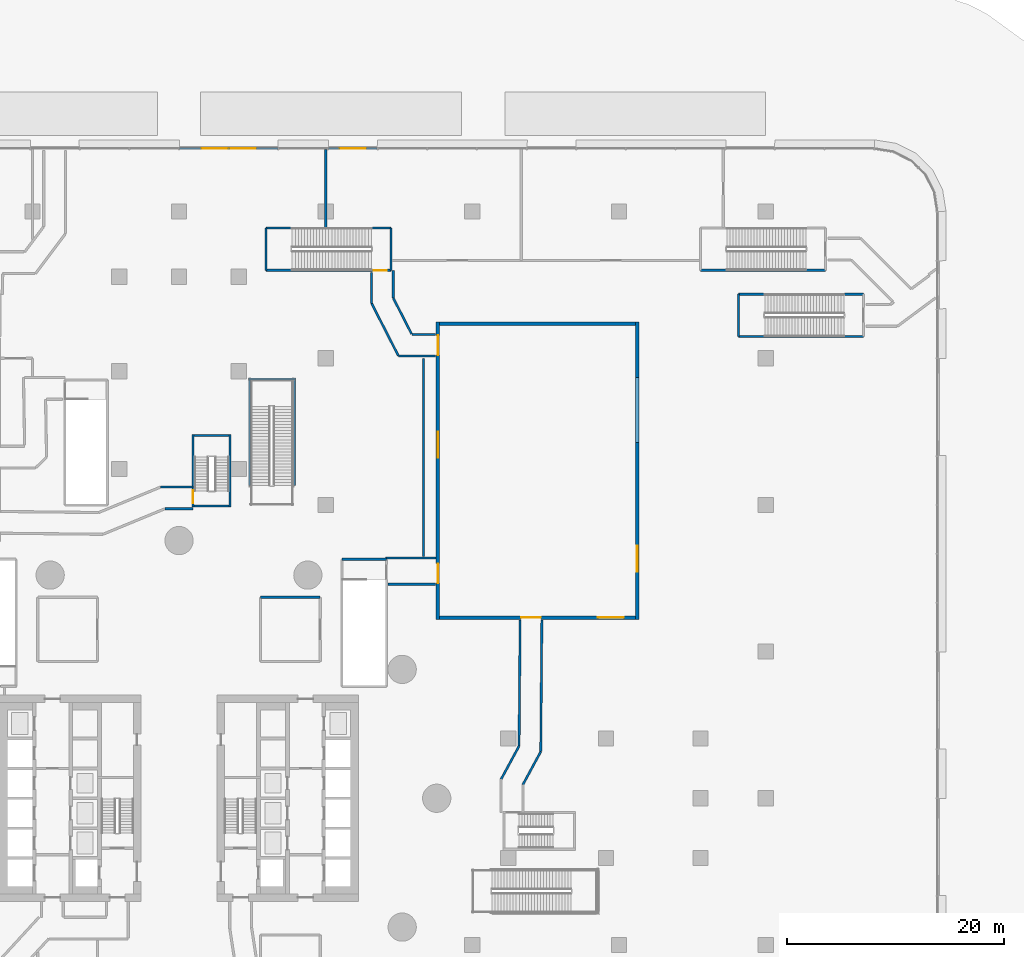
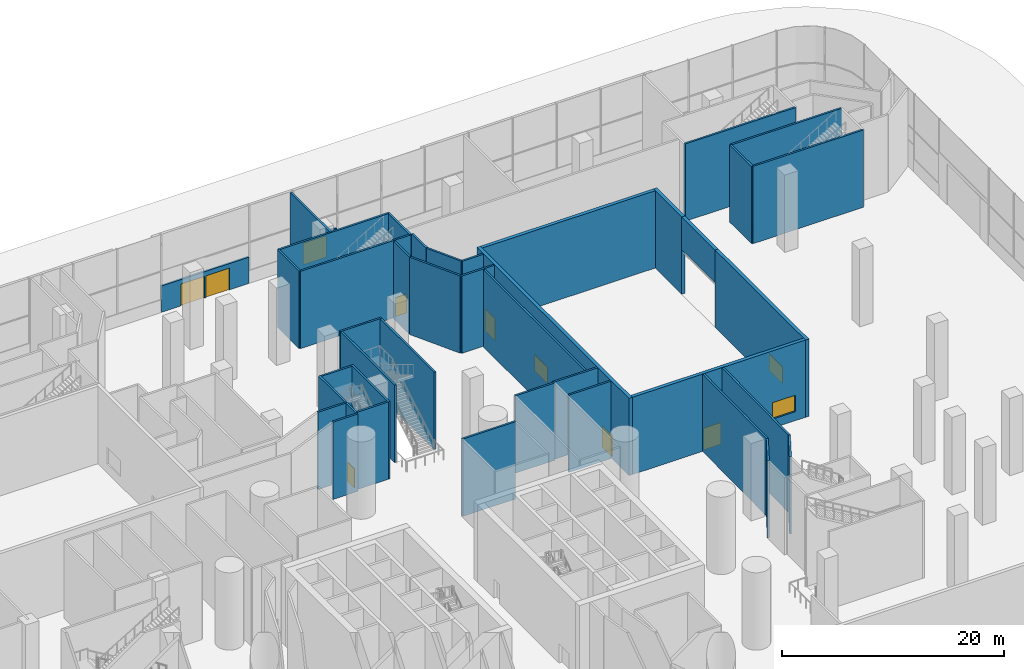
# One storey, part 30 of 54: 41 walls, 8 doors, 3 windows, 11 openings.
"""IFC4 building model written with IfcOpenShell, lengths in metres."""

from ifc_helpers import new_model, si_unit, direction, frame, frame_2d, origin, place, context, subcontext, project, spatial, polyline, rectangle, outline, extrude, material, layer, layer_set, type_object, element, fill, save


model = new_model("IFC4")

# Units and contexts
model_context = context("Model", 3, precision=1e-05, world=origin(), true_north=direction((0.0, 1.0)))
body_context = subcontext(model_context, "Body", "Model", "MODEL_VIEW")
ifc_project = project(units=[si_unit("LENGTHUNIT", "METRE"), si_unit("AREAUNIT", "SQUARE_METRE"), si_unit("VOLUMEUNIT", "CUBIC_METRE"), si_unit("PLANEANGLEUNIT", "RADIAN"), si_unit("MASSUNIT", "GRAM", prefix="KILO")], contexts=[model_context])

# Site, building, storey
site_placement = place(None, origin())
site = spatial("IfcSite", under=ifc_project, at=site_placement, CompositionType="ELEMENT")
building_placement = place(site_placement, origin())
building = spatial("IfcBuilding", under=site, at=building_placement, Name="Tamarind Cross Interchange Tower", CompositionType="ELEMENT")
storey_placement = place(building_placement, origin())
storey = spatial("IfcBuildingStorey", under=building, at=storey_placement, Name="L00", CompositionType="ELEMENT", Elevation=0.0)

# Wall, opening, window
ifc_material_1 = material(Name="Precast concrete C40", Category="concrete")
ifc_layer_1 = layer(ifc_material_1, 0.35009765625)
ifc_layer_set_1 = layer_set([ifc_layer_1], Name="Precast concrete C40")
wall_type_1 = type_object("IfcWallType", Name="Court portal pier wall", PredefinedType="SOLIDWALL", material=ifc_layer_set_1)
wall_1_placement = place(storey_placement, frame((42.175048828125, 16.449951171875, 0.0), z_axis=(0.0, 0.0, 1.0), x_axis=(0.0, 1.0, 0.0)))
wall_1 = element("IfcWall", 1, at=wall_1_placement, inside=storey, type_object=wall_type_1, Name="CTW-L00-NEE00", PredefinedType="SOLIDWALL", context=body_context, shape_type="SweptSolid", body=[
    extrude(rectangle(XDim=16.300048828125, YDim=0.35009765625, at=frame_2d((8.14990234375, 0.0))), origin(), (0.0, 0.0, 1.0), 8.5),
])
opening_1_placement = place(wall_1_placement, frame((4.39990234375, 0.0, 1.0)))
opening_1 = element("IfcOpeningElement", 2, at=opening_1_placement, cuts=wall_1, Name="Opening W4", PredefinedType="OPENING", context=body_context, shape_type="SweptSolid", body=[
    extrude(rectangle(XDim=2.39990234375, YDim=1.800048828125, at=frame_2d((1.199951171875, 0.89990234375))), frame((0.0, 0.18505859375, 0.0), z_axis=(0.0, -1.0, 0.0), x_axis=(1.0, 0.0, 0.0)), (0.0, 0.0, 1.0), 0.3701171875),
])
ifc_material_2 = material(Name="Aluminium and toughened glass", Category="aluminium")
window_type = type_object("IfcWindowType", Name="Podium daylight window", PartitioningType="SINGLE_PANEL", PredefinedType="WINDOW", material=ifc_material_2)
window_1_placement = place(opening_1_placement, origin())
window_1 = element("IfcWindow", 3, at=window_1_placement, inside=storey, type_object=window_type, Name="CTX-L00-NEE-00-00", OverallHeight=1.800048828125, OverallWidth=2.39990234375, PartitioningType="SINGLE_PANEL", PredefinedType="WINDOW", context=body_context, shape_type="SweptSolid", body=[
    extrude(rectangle(XDim=2.39990234375, YDim=1.800048828125, at=frame_2d((1.199951171875, 0.89990234375))), frame((0.0, 0.030029296875, 0.0), z_axis=(0.0, -1.0, 0.0), x_axis=(1.0, 0.0, 0.0)), (0.0, 0.0, 1.0), 0.06005859375),
])
fill(opening_1, window_1)

# Walls
wall_2_placement = place(storey_placement, frame((42.175048828125, 38.75, 0.0), z_axis=(0.0, 0.0, 1.0), x_axis=(0.0, 1.0, 0.0)))
element("IfcWall", 4, at=wall_2_placement, inside=storey, type_object=wall_type_1, Name="CTW-L00-NEE01", PredefinedType="SOLIDWALL", context=body_context, shape_type="SweptSolid", body=[
    extrude(rectangle(XDim=5.10009765625, YDim=0.35009765625, at=frame_2d((2.550048828125, 0.0))), origin(), (0.0, 0.0, 1.0), 8.5),
])
ifc_material_3 = material(Name="Masonry partition, fire-rated", Category="masonry")
ifc_layer_2 = layer(ifc_material_3, 0.199951171875)
ifc_layer_set_2 = layer_set([ifc_layer_2], Name="Masonry partition, fire-rated")
wall_type_2 = type_object("IfcWallType", Name="Fire partition 200 EI 120", PredefinedType="PARTITIONING", material=ifc_layer_set_2)
wall_3_placement = place(storey_placement, frame((13.5, 52.530029296875, 0.0), z_axis=(0.0, 0.0, 1.0), x_axis=(0.0, 1.0, 0.0)))
element("IfcWall", 5, at=wall_3_placement, inside=storey, type_object=wall_type_2, Name="L00 partition 94", PredefinedType="PARTITIONING", context=body_context, shape_type="SweptSolid", body=[
    extrude(rectangle(XDim=7.1689453125, YDim=0.199951171875, at=frame_2d((3.58447265625, 0.0))), origin(), (0.0, 0.0, 1.0), 8.5),
])
ifc_layer_3 = layer(ifc_material_3, 0.199951171875)
ifc_layer_set_3 = layer_set([ifc_layer_3], Name="Masonry partition, fire-rated")
wall_type_3 = type_object("IfcWallType", Name="Fire partition 200 EI 90", PredefinedType="PARTITIONING", material=ifc_layer_set_3)
wall_4_placement = place(storey_placement, frame((7.5, 18.5, 0.0), z_axis=(0.0, 0.0, 1.0), x_axis=(1.0, 0.0, 0.0)))
element("IfcWall", 6, at=wall_4_placement, inside=storey, type_object=wall_type_3, Name="L00 partition 110", PredefinedType="PARTITIONING", context=body_context, shape_type="SweptSolid", body=[
    extrude(rectangle(XDim=5.5, YDim=0.199951171875, at=frame_2d((2.75, 0.0))), origin(), (0.0, 0.0, 1.0), 8.5),
])
ifc_material_4 = material(Name="Concrete C40", Category="concrete")
ifc_layer_4 = layer(ifc_material_4, 0.199951171875)
ifc_layer_set_4 = layer_set([ifc_layer_4], Name="Concrete C40")
wall_type_4 = type_object("IfcWallType", Name="Hall wall 200 EI 120", PredefinedType="PARTITIONING", material=ifc_layer_set_4)
wall_5_placement = place(storey_placement, frame((22.5, 22.2451171875, 0.0), z_axis=(0.0, 0.0, 1.0), x_axis=(0.0, 1.0, 0.0)))
element("IfcWall", 7, at=wall_5_placement, inside=storey, type_object=wall_type_4, Name="L00 hall wall 118", PredefinedType="PARTITIONING", context=body_context, shape_type="SweptSolid", body=[
    extrude(rectangle(XDim=18.2548828125, YDim=0.199951171875, at=frame_2d((9.12744140625, 0.0))), origin(), (0.0, 0.0, 1.0), 8.5),
])

# Wall, opening, door
ifc_layer_5 = layer(ifc_material_1, 0.35009765625)
ifc_layer_set_5 = layer_set([ifc_layer_5], Name="Precast concrete C40")
wall_type_5 = type_object("IfcWallType", Name="Podium facade wall", PredefinedType="SOLIDWALL", material=ifc_layer_set_5)
wall_6_placement = place(storey_placement, frame((18.2412109375, 59.800048828125, 0.0), z_axis=(0.0, 0.0, 1.0), x_axis=(-1.0, 0.0, 0.0)))
wall_6 = element("IfcWall", 8, at=wall_6_placement, inside=storey, type_object=wall_type_5, Name="EXW-L00-02-D10", PredefinedType="SOLIDWALL", context=body_context, shape_type="SweptSolid", body=[
    extrude(rectangle(XDim=4.490234375, YDim=0.199951171875, at=frame_2d((2.2451171875, 0.0))), origin(), (0.0, 0.0, 1.0), 2.89990234375),
])
opening_2_placement = place(wall_6_placement, frame((1.045166015625, 0.0, 0.0)))
opening_2 = element("IfcOpeningElement", 9, at=opening_2_placement, cuts=wall_6, Name="Opening D1", PredefinedType="OPENING", context=body_context, shape_type="SweptSolid", body=[
    extrude(rectangle(XDim=2.39990234375, YDim=2.39990234375, at=frame_2d((1.199951171875, 1.199951171875))), frame((0.0, 0.10986328125, 0.0), z_axis=(0.0, -1.0, 0.0), x_axis=(1.0, 0.0, 0.0)), (0.0, 0.0, 1.0), 0.219970703125),
])
ifc_material_5 = material(Name="Toughened glass and aluminium", Category="aluminium")
door_type_1 = type_object("IfcDoorType", Name="Station entrance door", OperationType="DOUBLE_DOOR_DOUBLE_SWING", PredefinedType="DOOR", material=ifc_material_5)
door_1_placement = place(opening_2_placement, frame((2.39990234375, 0.0, 0.0), z_axis=(0.0, 0.0, 1.0), x_axis=(-1.0, 0.0, 0.0)))
door_1 = element("IfcDoor", 10, at=door_1_placement, inside=storey, type_object=door_type_1, Name="DOR-L00-02-10", OperationType="DOUBLE_DOOR_DOUBLE_SWING", OverallHeight=2.39990234375, OverallWidth=2.39990234375, PredefinedType="DOOR", context=body_context, shape_type="SweptSolid", body=[
    extrude(rectangle(XDim=2.39990234375, YDim=2.39990234375, at=frame_2d((1.199951171875, 1.199951171875))), frame((0.0, 0.02490234375, 0.0), z_axis=(0.0, -1.0, 0.0), x_axis=(1.0, 0.0, 0.0)), (0.0, 0.0, 1.0), 0.050048828125),
])
fill(opening_2, door_1)

# Wall, openings, doors
wall_7_placement = place(storey_placement, frame((9.1005859375, 59.800048828125, 0.0), z_axis=(0.0, 0.0, 1.0), x_axis=(-1.0, 0.0, 0.0)))
wall_7 = element("IfcWall", 11, at=wall_7_placement, inside=storey, type_object=wall_type_5, Name="EXW-L00-02-D12", PredefinedType="SOLIDWALL", context=body_context, shape_type="SweptSolid", body=[
    extrude(rectangle(XDim=9.060546875, YDim=0.199951171875, at=frame_2d((4.5302734375, 0.0))), origin(), (0.0, 0.0, 1.0), 2.89990234375),
])
opening_3_placement = place(wall_7_placement, frame((2.0302734375, 0.0, 0.0)))
opening_3 = element("IfcOpeningElement", 12, at=opening_3_placement, cuts=wall_7, Name="Opening D1", PredefinedType="OPENING", context=body_context, shape_type="SweptSolid", body=[
    extrude(rectangle(XDim=2.39990234375, YDim=2.39990234375, at=frame_2d((1.199951171875, 1.199951171875))), frame((0.0, 0.10986328125, 0.0), z_axis=(0.0, -1.0, 0.0), x_axis=(1.0, 0.0, 0.0)), (0.0, 0.0, 1.0), 0.219970703125),
])
opening_4_placement = place(wall_7_placement, frame((4.63037109375, 0.0, 0.0)))
opening_4 = element("IfcOpeningElement", 13, at=opening_4_placement, cuts=wall_7, Name="Opening D1", PredefinedType="OPENING", context=body_context, shape_type="SweptSolid", body=[
    extrude(rectangle(XDim=2.39990234375, YDim=2.39990234375, at=frame_2d((1.199951171875, 1.199951171875))), frame((0.0, 0.10986328125, 0.0), z_axis=(0.0, -1.0, 0.0), x_axis=(1.0, 0.0, 0.0)), (0.0, 0.0, 1.0), 0.219970703125),
])
door_2_placement = place(opening_3_placement, frame((2.39990234375, 0.0, 0.0), z_axis=(0.0, 0.0, 1.0), x_axis=(-1.0, 0.0, 0.0)))
door_2 = element("IfcDoor", 14, at=door_2_placement, inside=storey, type_object=door_type_1, Name="DOR-L00-02-12A", OperationType="DOUBLE_DOOR_DOUBLE_SWING", OverallHeight=2.39990234375, OverallWidth=2.39990234375, PredefinedType="DOOR", context=body_context, shape_type="SweptSolid", body=[
    extrude(rectangle(XDim=2.39990234375, YDim=2.39990234375, at=frame_2d((1.199951171875, 1.199951171875))), frame((0.0, 0.02490234375, 0.0), z_axis=(0.0, -1.0, 0.0), x_axis=(1.0, 0.0, 0.0)), (0.0, 0.0, 1.0), 0.050048828125),
])
fill(opening_3, door_2)
door_3_placement = place(opening_4_placement, frame((2.39990234375, 0.0, 0.0), z_axis=(0.0, 0.0, 1.0), x_axis=(-1.0, 0.0, 0.0)))
door_3 = element("IfcDoor", 15, at=door_3_placement, inside=storey, type_object=door_type_1, Name="DOR-L00-02-12B", OperationType="DOUBLE_DOOR_DOUBLE_SWING", OverallHeight=2.39990234375, OverallWidth=2.39990234375, PredefinedType="DOOR", context=body_context, shape_type="SweptSolid", body=[
    extrude(rectangle(XDim=2.39990234375, YDim=2.39990234375, at=frame_2d((1.199951171875, 1.199951171875))), frame((0.0, 0.02490234375, 0.0), z_axis=(0.0, -1.0, 0.0), x_axis=(1.0, 0.0, 0.0)), (0.0, 0.0, 1.0), 0.050048828125),
])
fill(opening_4, door_3)

# Wall, openings, door, window
wall_8_placement = place(storey_placement, frame((24.0, 16.625, 0.0), z_axis=(0.0, 0.0, 1.0), x_axis=(1.0, 0.0, 0.0)))
wall_8 = element("IfcWall", 16, at=wall_8_placement, inside=storey, type_object=wall_type_5, Name="CTW-L00-NES00", PredefinedType="SOLIDWALL", context=body_context, shape_type="SweptSolid", body=[
    extrude(rectangle(XDim=18.0, YDim=0.35009765625, at=frame_2d((9.0, 0.0))), origin(), (0.0, 0.0, 1.0), 8.5),
])
opening_5_placement = place(wall_8_placement, frame((7.5, 0.0, 0.0)))
opening_5 = element("IfcOpeningElement", 17, at=opening_5_placement, cuts=wall_8, Name="Opening D7", PredefinedType="OPENING", context=body_context, shape_type="SweptSolid", body=[
    extrude(rectangle(XDim=1.800048828125, YDim=2.39990234375, at=frame_2d((0.89990234375, 1.199951171875))), frame((0.0, 0.18505859375, 0.0), z_axis=(0.0, -1.0, 0.0), x_axis=(1.0, 0.0, 0.0)), (0.0, 0.0, 1.0), 0.3701171875),
])
opening_6_placement = place(wall_8_placement, frame((14.550048828125, 0.0, 1.0)))
opening_6 = element("IfcOpeningElement", 18, at=opening_6_placement, cuts=wall_8, Name="Opening W4", PredefinedType="OPENING", context=body_context, shape_type="SweptSolid", body=[
    extrude(rectangle(XDim=2.39990234375, YDim=1.800048828125, at=frame_2d((1.199951171875, 0.89990234375))), frame((0.0, 0.18505859375, 0.0), z_axis=(0.0, -1.0, 0.0), x_axis=(1.0, 0.0, 0.0)), (0.0, 0.0, 1.0), 0.3701171875),
])
ifc_material_6 = material(Name="Steel FD90", Category="steel")
door_type_2 = type_object("IfcDoorType", Name="Exit passage door", OperationType="DOUBLE_DOOR_SINGLE_SWING", PredefinedType="DOOR", material=ifc_material_6)
door_4_placement = place(opening_5_placement, origin())
door_4 = element("IfcDoor", 19, at=door_4_placement, inside=storey, type_object=door_type_2, Name="Exit stair ST3 door to the NE fire court", OperationType="SINGLE_SWING_LEFT", OverallHeight=2.39990234375, OverallWidth=1.800048828125, PredefinedType="DOOR", context=body_context, shape_type="SweptSolid", body=[
    extrude(rectangle(XDim=1.800048828125, YDim=2.39990234375, at=frame_2d((0.89990234375, 1.199951171875))), frame((0.0, 0.02490234375, 0.0), z_axis=(0.0, -1.0, 0.0), x_axis=(1.0, 0.0, 0.0)), (0.0, 0.0, 1.0), 0.050048828125),
])
fill(opening_5, door_4)
window_2_placement = place(opening_6_placement, origin())
window_2 = element("IfcWindow", 20, at=window_2_placement, inside=storey, type_object=window_type, Name="CTX-L00-NES-01-00", OverallHeight=1.800048828125, OverallWidth=2.39990234375, PartitioningType="SINGLE_PANEL", PredefinedType="WINDOW", context=body_context, shape_type="SweptSolid", body=[
    extrude(rectangle(XDim=2.39990234375, YDim=1.800048828125, at=frame_2d((1.199951171875, 0.89990234375))), frame((0.0, 0.030029296875, 0.0), z_axis=(0.0, -1.0, 0.0), x_axis=(1.0, 0.0, 0.0)), (0.0, 0.0, 1.0), 0.06005859375),
])
fill(opening_6, window_2)

# Wall
wall_9_placement = place(storey_placement, frame((24.0, 43.675048828125, 0.0), z_axis=(0.0, 0.0, 1.0), x_axis=(1.0, 0.0, 0.0)))
element("IfcWall", 21, at=wall_9_placement, inside=storey, type_object=wall_type_5, Name="CTW-L00-NEN00", PredefinedType="SOLIDWALL", context=body_context, shape_type="SweptSolid", body=[
    extrude(rectangle(XDim=18.0, YDim=0.35009765625, at=frame_2d((9.0, 0.0))), origin(), (0.0, 0.0, 1.0), 8.5),
])

# Wall, openings, doors, window
wall_10_placement = place(storey_placement, frame((23.824951171875, 16.449951171875, 0.0), z_axis=(0.0, 0.0, 1.0), x_axis=(0.0, 1.0, 0.0)))
wall_10 = element("IfcWall", 22, at=wall_10_placement, inside=storey, type_object=wall_type_5, Name="CTW-L00-NEW00", PredefinedType="SOLIDWALL", context=body_context, shape_type="SweptSolid", body=[
    extrude(rectangle(XDim=27.400146484375, YDim=0.35009765625, at=frame_2d((13.7001953125, 0.0))), origin(), (0.0, 0.0, 1.0), 8.5),
])
opening_7_placement = place(wall_10_placement, frame((3.35009765625, 0.0, 0.0)))
opening_7 = element("IfcOpeningElement", 23, at=opening_7_placement, cuts=wall_10, Name="Opening D7", PredefinedType="OPENING", context=body_context, shape_type="SweptSolid", body=[
    extrude(rectangle(XDim=1.800048828125, YDim=2.39990234375, at=frame_2d((0.89990234375, 1.199951171875))), frame((0.0, 0.18505859375, 0.0), z_axis=(0.0, -1.0, 0.0), x_axis=(1.0, 0.0, 0.0)), (0.0, 0.0, 1.0), 0.3701171875),
])
opening_8_placement = place(wall_10_placement, frame((24.35009765625, 0.0, 0.0)))
opening_8 = element("IfcOpeningElement", 24, at=opening_8_placement, cuts=wall_10, Name="Opening D7", PredefinedType="OPENING", context=body_context, shape_type="SweptSolid", body=[
    extrude(rectangle(XDim=1.800048828125, YDim=2.39990234375, at=frame_2d((0.89990234375, 1.199951171875))), frame((0.0, 0.18505859375, 0.0), z_axis=(0.0, -1.0, 0.0), x_axis=(1.0, 0.0, 0.0)), (0.0, 0.0, 1.0), 0.3701171875),
])
opening_9_placement = place(wall_10_placement, frame((14.89990234375, 0.0, 1.0)))
opening_9 = element("IfcOpeningElement", 25, at=opening_9_placement, cuts=wall_10, Name="Opening W4", PredefinedType="OPENING", context=body_context, shape_type="SweptSolid", body=[
    extrude(rectangle(XDim=2.39990234375, YDim=1.800048828125, at=frame_2d((1.199951171875, 0.89990234375))), frame((0.0, 0.18505859375, 0.0), z_axis=(0.0, -1.0, 0.0), x_axis=(1.0, 0.0, 0.0)), (0.0, 0.0, 1.0), 0.3701171875),
])
door_5_placement = place(opening_7_placement, frame((1.800048828125, 0.0, 0.0), z_axis=(0.0, 0.0, 1.0), x_axis=(-1.0, 0.0, 0.0)))
door_5 = element("IfcDoor", 26, at=door_5_placement, inside=storey, type_object=door_type_2, Name="Exit stair XS-E door to the NE fire court", OperationType="SINGLE_SWING_LEFT", OverallHeight=2.39990234375, OverallWidth=1.800048828125, PredefinedType="DOOR", context=body_context, shape_type="SweptSolid", body=[
    extrude(rectangle(XDim=1.800048828125, YDim=2.39990234375, at=frame_2d((0.89990234375, 1.199951171875))), frame((0.0, 0.02490234375, 0.0), z_axis=(0.0, -1.0, 0.0), x_axis=(1.0, 0.0, 0.0)), (0.0, 0.0, 1.0), 0.050048828125),
])
fill(opening_7, door_5)
door_6_placement = place(opening_8_placement, frame((1.800048828125, 0.0, 0.0), z_axis=(0.0, 0.0, 1.0), x_axis=(-1.0, 0.0, 0.0)))
door_6 = element("IfcDoor", 27, at=door_6_placement, inside=storey, type_object=door_type_2, Name="Exit stair XS-P03 door to the NE fire court", OperationType="SINGLE_SWING_LEFT", OverallHeight=2.39990234375, OverallWidth=1.800048828125, PredefinedType="DOOR", context=body_context, shape_type="SweptSolid", body=[
    extrude(rectangle(XDim=1.800048828125, YDim=2.39990234375, at=frame_2d((0.89990234375, 1.199951171875))), frame((0.0, 0.02490234375, 0.0), z_axis=(0.0, -1.0, 0.0), x_axis=(1.0, 0.0, 0.0)), (0.0, 0.0, 1.0), 0.050048828125),
])
fill(opening_8, door_6)
window_3_placement = place(opening_9_placement, origin())
window_3 = element("IfcWindow", 28, at=window_3_placement, inside=storey, type_object=window_type, Name="CTX-L00-NEW-01-00", OverallHeight=1.800048828125, OverallWidth=2.39990234375, PartitioningType="SINGLE_PANEL", PredefinedType="WINDOW", context=body_context, shape_type="SweptSolid", body=[
    extrude(rectangle(XDim=2.39990234375, YDim=1.800048828125, at=frame_2d((1.199951171875, 0.89990234375))), frame((0.0, 0.030029296875, 0.0), z_axis=(0.0, -1.0, 0.0), x_axis=(1.0, 0.0, 0.0)), (0.0, 0.0, 1.0), 0.06005859375),
])
fill(opening_9, window_3)

# Walls
wall_11_placement = place(storey_placement, frame((42.175048828125, 32.75, 4.89990234375), z_axis=(0.0, 0.0, 1.0), x_axis=(0.0, 1.0, 0.0)))
element("IfcWall", 29, at=wall_11_placement, inside=storey, type_object=wall_type_5, Name="CTW-L00-NEE02", PredefinedType="SOLIDWALL", context=body_context, shape_type="SweptSolid", body=[
    extrude(rectangle(XDim=6.0, YDim=0.35009765625, at=frame_2d((3.0, 0.0))), origin(), (0.0, 0.0, 1.0), 3.60009765625),
])
ifc_layer_6 = layer(ifc_material_4, 0.199951171875)
ifc_layer_set_6 = layer_set([ifc_layer_6], Name="Concrete C40")
wall_type_6 = type_object("IfcWallType", Name="Protected passage wall 200 EI 180", PredefinedType="PARTITIONING", material=ifc_layer_set_6)
wall_12_placement = place(storey_placement, frame((29.64990234375, 1.753173828125, 0.0), z_axis=(0.0, 0.0, 1.0), x_axis=(0.475809668513, 0.879548270051, 0.0)))
element("IfcWall", 30, at=wall_12_placement, inside=storey, type_object=wall_type_6, Name="L00 passage wall 121", PredefinedType="PARTITIONING", context=body_context, shape_type="SweptSolid", body=[
    extrude(rectangle(XDim=3.47216796875, YDim=0.199951171875, at=frame_2d((1.736083984375, 0.0))), origin(), (0.0, 0.0, 1.0), 8.5),
])
wall_13_placement = place(storey_placement, frame((31.302001953125, 4.80712890625, 0.0), z_axis=(0.0, 0.0, 1.0), x_axis=(0.008423893865, 0.999964518377, 0.0)))
element("IfcWall", 31, at=wall_13_placement, inside=storey, type_object=wall_type_6, Name="L00 passage wall 122", PredefinedType="PARTITIONING", context=body_context, shape_type="SweptSolid", body=[
    extrude(rectangle(XDim=11.621826171875, YDim=0.199951171875, at=frame_2d((5.81103515625, 0.0))), origin(), (0.0, 0.0, 1.0), 8.5),
])
wall_14_placement = place(storey_placement, frame((31.64990234375, 1.246826171875, 0.0), z_axis=(0.0, 0.0, 1.0), x_axis=(0.475826631437, 0.879539093398, 0.0)))
element("IfcWall", 32, at=wall_14_placement, inside=storey, type_object=wall_type_6, Name="L00 passage wall 124", PredefinedType="PARTITIONING", context=body_context, shape_type="SweptSolid", body=[
    extrude(rectangle(XDim=3.46337890625, YDim=0.199951171875, at=frame_2d((1.731689453125, 0.0))), origin(), (0.0, 0.0, 1.0), 8.5),
])
wall_15_placement = place(storey_placement, frame((33.2978515625, 4.29296875, 0.0), z_axis=(0.0, 0.0, 1.0), x_axis=(0.008420669246, 0.999964545536, 0.0)))
element("IfcWall", 33, at=wall_15_placement, inside=storey, type_object=wall_type_6, Name="L00 passage wall 125", PredefinedType="PARTITIONING", context=body_context, shape_type="SweptSolid", body=[
    extrude(rectangle(XDim=12.119140625, YDim=0.199951171875, at=frame_2d((6.0595703125, 0.0))), origin(), (0.0, 0.0, 1.0), 8.5),
])
wall_16_placement = place(storey_placement, frame((1.300048828125, 26.64990234375, 0.0), z_axis=(0.0, 0.0, 1.0), x_axis=(-1.0, 0.0, 0.0)))
element("IfcWall", 34, at=wall_16_placement, inside=storey, type_object=wall_type_6, Name="L00 passage wall 126", PredefinedType="PARTITIONING", context=body_context, shape_type="SweptSolid", body=[
    extrude(rectangle(XDim=2.60205078125, YDim=0.199951171875, at=frame_2d((1.301025390625, 0.0))), origin(), (0.0, 0.0, 1.0), 8.5),
])
wall_17_placement = place(storey_placement, frame((1.300048828125, 28.64990234375, 0.0), z_axis=(0.0, 0.0, 1.0), x_axis=(-1.0, 0.0, 0.0)))
element("IfcWall", 35, at=wall_17_placement, inside=storey, type_object=wall_type_6, Name="L00 passage wall 129", PredefinedType="PARTITIONING", context=body_context, shape_type="SweptSolid", body=[
    extrude(rectangle(XDim=2.998046875, YDim=0.199951171875, at=frame_2d((1.4990234375, 0.0))), origin(), (0.0, 0.0, 1.0), 8.5),
])
wall_18_placement = place(storey_placement, frame((19.0, 22.125, 0.0), z_axis=(0.0, 0.0, 1.0), x_axis=(1.0, 0.0, 0.0)))
element("IfcWall", 36, at=wall_18_placement, inside=storey, type_object=wall_type_6, Name="L00 passage wall 162", PredefinedType="PARTITIONING", context=body_context, shape_type="SweptSolid", body=[
    extrude(rectangle(XDim=4.64990234375, YDim=0.199951171875, at=frame_2d((2.324951171875, 0.0))), origin(), (0.0, 0.0, 1.0), 8.5),
])
wall_19_placement = place(storey_placement, frame((19.219970703125, 19.699951171875, 0.0), z_axis=(0.0, 0.0, 1.0), x_axis=(1.0, 0.0, 0.0)))
element("IfcWall", 37, at=wall_19_placement, inside=storey, type_object=wall_type_6, Name="L00 passage wall 163", PredefinedType="PARTITIONING", context=body_context, shape_type="SweptSolid", body=[
    extrude(rectangle(XDim=4.400146484375, YDim=0.199951171875, at=frame_2d((2.2001953125, 0.0))), origin(), (0.0, 0.0, 1.0), 8.5),
])
wall_20_placement = place(storey_placement, frame((19.72509765625, 48.60009765625, 0.0), z_axis=(0.0, 0.0, 1.0), x_axis=(0.0, -1.0, 0.0)))
element("IfcWall", 38, at=wall_20_placement, inside=storey, type_object=wall_type_6, Name="L00 passage wall 169", PredefinedType="PARTITIONING", context=body_context, shape_type="SweptSolid", body=[
    extrude(rectangle(XDim=2.559326171875, YDim=0.199951171875, at=frame_2d((1.27978515625, 0.0))), origin(), (0.0, 0.0, 1.0), 8.5),
])
wall_21_placement = place(storey_placement, frame((19.72509765625, 46.040771484375, 0.0), z_axis=(0.0, 0.0, 1.0), x_axis=(0.454953010124, -0.890515445447, 0.0)))
element("IfcWall", 39, at=wall_21_placement, inside=storey, type_object=wall_type_6, Name="L00 passage wall 170", PredefinedType="PARTITIONING", context=body_context, shape_type="SweptSolid", body=[
    extrude(rectangle(XDim=3.70166015625, YDim=0.199951171875, at=frame_2d((1.850830078125, 0.0))), origin(), (0.0, 0.0, 1.0), 8.5),
])
wall_22_placement = place(storey_placement, frame((21.431884765625, 42.699951171875, 0.0), z_axis=(0.0, 0.0, 1.0), x_axis=(1.0, 0.0, 0.0)))
element("IfcWall", 40, at=wall_22_placement, inside=storey, type_object=wall_type_6, Name="L00 passage wall 171", PredefinedType="PARTITIONING", context=body_context, shape_type="SweptSolid", body=[
    extrude(rectangle(XDim=2.188232421875, YDim=0.199951171875, at=frame_2d((1.09423828125, 0.0))), origin(), (0.0, 0.0, 1.0), 8.5),
])
wall_23_placement = place(storey_placement, frame((17.72509765625, 48.3798828125, 0.0), z_axis=(0.0, 0.0, 1.0), x_axis=(0.0, -1.0, 0.0)))
element("IfcWall", 41, at=wall_23_placement, inside=storey, type_object=wall_type_6, Name="L00 passage wall 172", PredefinedType="PARTITIONING", context=body_context, shape_type="SweptSolid", body=[
    extrude(rectangle(XDim=2.820556640625, YDim=0.199951171875, at=frame_2d((1.41015625, 0.0))), origin(), (0.0, 0.0, 1.0), 8.5),
])
wall_24_placement = place(storey_placement, frame((17.72509765625, 45.559326171875, 0.0), z_axis=(0.0, 0.0, 1.0), x_axis=(0.454998882798, -0.890492008191, 0.0)))
element("IfcWall", 42, at=wall_24_placement, inside=storey, type_object=wall_type_6, Name="L00 passage wall 173", PredefinedType="PARTITIONING", context=body_context, shape_type="SweptSolid", body=[
    extrude(rectangle(XDim=5.406982421875, YDim=0.199951171875, at=frame_2d((2.70361328125, 0.0))), origin(), (0.0, 0.0, 1.0), 8.5),
])
wall_25_placement = place(storey_placement, frame((20.2080078125, 40.699951171875, 0.0), z_axis=(0.0, 0.0, 1.0), x_axis=(1.0, 0.0, 0.0)))
element("IfcWall", 43, at=wall_25_placement, inside=storey, type_object=wall_type_6, Name="L00 passage wall 174", PredefinedType="PARTITIONING", context=body_context, shape_type="SweptSolid", body=[
    extrude(rectangle(XDim=3.412109375, YDim=0.199951171875, at=frame_2d((1.7060546875, 0.0))), origin(), (0.0, 0.0, 1.0), 8.5),
])
ifc_layer_7 = layer(ifc_material_4, 0.199951171875)
ifc_layer_set_7 = layer_set([ifc_layer_7], Name="Concrete C40")
wall_type_7 = type_object("IfcWallType", Name="Stair shaft wall 200", PredefinedType="SOLIDWALL", material=ifc_layer_set_7)
for number, where, z_axis, x_axis, name in (
    (44, (10.60009765625, 28.800048828125, 0.0), (0.0, 0.0, 1.0), (0.0, 1.0, 0.0), "public stair PS-N shaft wall L"),
    (45, (6.5, 28.800048828125, 0.0), (0.0, 0.0, 1.0), (0.0, 1.0, 0.0), "public stair PS-N shaft wall R"),
):
    element("IfcWall", number, at=place(storey_placement, frame(where, z_axis=z_axis, x_axis=x_axis)), inside=storey, type_object=wall_type_7, Name=name, PredefinedType="SOLIDWALL", context=body_context, shape_type="SweptSolid", body=[
        extrude(rectangle(XDim=9.699951171875, YDim=0.199951171875, at=frame_2d((4.85009765625, 0.0))), origin(), (0.0, 0.0, 1.0), 8.5),
    ])
wall_26_placement = place(storey_placement, frame((10.699951171875, 38.60009765625, 0.0), z_axis=(0.0, 0.0, 1.0), x_axis=(-1.0, 0.0, 0.0)))
element("IfcWall", 46, at=wall_26_placement, inside=storey, type_object=wall_type_7, Name="public stair PS-N shaft wall F", PredefinedType="SOLIDWALL", context=body_context, shape_type="SweptSolid", body=[
    extrude(rectangle(XDim=4.300048828125, YDim=0.199951171875, at=frame_2d((2.14990234375, 0.0))), origin(), (0.0, 0.0, 1.0), 8.5),
])
ifc_layer_8 = layer(ifc_material_4, 0.199951171875)
ifc_layer_set_8 = layer_set([ifc_layer_8], Name="Concrete C40")
wall_type_8 = type_object("IfcWallType", Name="Stair shaft wall 200 EI 180", PredefinedType="PARTITIONING", material=ifc_layer_set_8)
wall_27_placement = place(storey_placement, frame((15.0, 22.0, 0.0), z_axis=(0.0, 0.0, 1.0), x_axis=(1.0, 0.0, 0.0)))
element("IfcWall", 47, at=wall_27_placement, inside=storey, type_object=wall_type_8, Name="L00 stair shaft wall 38", PredefinedType="PARTITIONING", context=body_context, shape_type="SweptSolid", body=[
    extrude(rectangle(XDim=4.10009765625, YDim=0.199951171875, at=frame_2d((2.050048828125, 0.0))), origin(), (0.0, 0.0, 1.0), 8.5),
])

# Wall, opening, door
wall_28_placement = place(storey_placement, frame((8.0, 48.60009765625, 0.0), z_axis=(0.0, 0.0, 1.0), x_axis=(1.0, 0.0, 0.0)))
wall_28 = element("IfcWall", 48, at=wall_28_placement, inside=storey, type_object=wall_type_8, Name="L00 stair shaft wall 41", PredefinedType="PARTITIONING", context=body_context, shape_type="SweptSolid", body=[
    extrude(rectangle(XDim=11.5, YDim=0.199951171875, at=frame_2d((5.75, 0.0))), origin(), (0.0, 0.0, 1.0), 8.5),
])
opening_10_placement = place(wall_28_placement, frame((9.93994140625, 0.0, 0.0)))
opening_10 = element("IfcOpeningElement", 49, at=opening_10_placement, cuts=wall_28, Name="Opening DL00-05", PredefinedType="OPENING", context=body_context, shape_type="SweptSolid", body=[
    extrude(rectangle(XDim=1.199951171875, YDim=2.10009765625, at=frame_2d((0.60009765625, 1.050048828125))), frame((0.0, 0.10986328125, 0.0), z_axis=(0.0, -1.0, 0.0), x_axis=(1.0, 0.0, 0.0)), (0.0, 0.0, 1.0), 0.219970703125),
])
ifc_material_7 = material(Name="Steel, fire-resisting", Category="steel")
door_type_3 = type_object("IfcDoorType", Name="Podium door 1200 x 2100 FD90", OperationType="SINGLE_SWING_LEFT", PredefinedType="DOOR", material=ifc_material_7)
door_7_placement = place(opening_10_placement, origin())
door_7 = element("IfcDoor", 50, at=door_7_placement, inside=storey, type_object=door_type_3, Name="L00 door Exit Stair PX3", OperationType="SINGLE_SWING_LEFT", OverallHeight=2.10009765625, OverallWidth=1.199951171875, PredefinedType="DOOR", context=body_context, shape_type="SweptSolid", body=[
    extrude(rectangle(XDim=1.199951171875, YDim=2.10009765625, at=frame_2d((0.60009765625, 1.050048828125))), frame((0.0, 0.02490234375, 0.0), z_axis=(0.0, -1.0, 0.0), x_axis=(1.0, 0.0, 0.0)), (0.0, 0.0, 1.0), 0.050048828125),
])
fill(opening_10, door_7)

# Walls
wall_29_placement = place(storey_placement, frame((8.0, 48.60009765625, 0.0), z_axis=(0.0, 0.0, 1.0), x_axis=(0.0, 1.0, 0.0)))
element("IfcWall", 51, at=wall_29_placement, inside=storey, type_object=wall_type_8, Name="L00 stair shaft wall 42", PredefinedType="PARTITIONING", context=body_context, shape_type="SweptSolid", body=[
    extrude(rectangle(XDim=3.89990234375, YDim=0.199951171875, at=frame_2d((1.949951171875, 0.0))), origin(), (0.0, 0.0, 1.0), 8.5),
])
wall_30_placement = place(storey_placement, frame((8.0, 52.5, 0.0), z_axis=(0.0, 0.0, 1.0), x_axis=(1.0, 0.0, 0.0)))
element("IfcWall", 52, at=wall_30_placement, inside=storey, type_object=wall_type_8, Name="L00 stair shaft wall 43", PredefinedType="PARTITIONING", context=body_context, shape_type="SweptSolid", body=[
    extrude(rectangle(XDim=11.5, YDim=0.199951171875, at=frame_2d((5.75, 0.0))), origin(), (0.0, 0.0, 1.0), 8.5),
])
wall_31_placement = place(storey_placement, frame((19.5, 48.60009765625, 0.0), z_axis=(0.0, 0.0, 1.0), x_axis=(0.0, 1.0, 0.0)))
element("IfcWall", 53, at=wall_31_placement, inside=storey, type_object=wall_type_8, Name="L00 stair shaft wall 44", PredefinedType="PARTITIONING", context=body_context, shape_type="SweptSolid", body=[
    extrude(rectangle(XDim=3.89990234375, YDim=0.199951171875, at=frame_2d((1.949951171875, 0.0))), origin(), (0.0, 0.0, 1.0), 8.5),
])
for number, where, z_axis, x_axis, name in (
    (54, (48.0, 48.60009765625, 0.0), (0.0, 0.0, 1.0), (1.0, 0.0, 0.0), "L00 stair shaft wall 53"),
    (55, (51.5, 42.5, 0.0), (0.0, 0.0, 1.0), (1.0, 0.0, 0.0), "L00 stair shaft wall 57"),
):
    element("IfcWall", number, at=place(storey_placement, frame(where, z_axis=z_axis, x_axis=x_axis)), inside=storey, type_object=wall_type_8, Name=name, PredefinedType="PARTITIONING", context=body_context, shape_type="SweptSolid", body=[
        extrude(rectangle(XDim=11.5, YDim=0.199951171875, at=frame_2d((5.75, 0.0))), origin(), (0.0, 0.0, 1.0), 8.5),
    ])
wall_32_placement = place(storey_placement, frame((51.5, 42.5, 0.0), z_axis=(0.0, 0.0, 1.0), x_axis=(0.0, 1.0, 0.0)))
element("IfcWall", 56, at=wall_32_placement, inside=storey, type_object=wall_type_8, Name="L00 stair shaft wall 58", PredefinedType="PARTITIONING", context=body_context, shape_type="SweptSolid", body=[
    extrude(rectangle(XDim=3.89990234375, YDim=0.199951171875, at=frame_2d((1.949951171875, 0.0))), origin(), (0.0, 0.0, 1.0), 8.5),
])
wall_33_placement = place(storey_placement, frame((51.5, 46.39990234375, 0.0), z_axis=(0.0, 0.0, 1.0), x_axis=(1.0, 0.0, 0.0)))
element("IfcWall", 57, at=wall_33_placement, inside=storey, type_object=wall_type_8, Name="L00 stair shaft wall 59", PredefinedType="PARTITIONING", context=body_context, shape_type="SweptSolid", body=[
    extrude(rectangle(XDim=11.5, YDim=0.199951171875, at=frame_2d((5.75, 0.0))), origin(), (0.0, 0.0, 1.0), 8.5),
])

# Wall, opening, door
ifc_layer_9 = layer(ifc_material_4, 0.199951171875)
ifc_layer_set_9 = layer_set([ifc_layer_9], Name="Concrete C40")
wall_type_9 = type_object("IfcWallType", Name="Stair shaft wall 200 mm Concrete C40", PredefinedType="SHEAR", material=ifc_layer_set_9)
wall_34_placement = place(storey_placement, frame((1.300048828125, 26.800048828125, 0.0), z_axis=(0.0, 0.0, 1.0), x_axis=(0.0, 1.0, 0.0)))
wall_34 = element("IfcWall", 58, at=wall_34_placement, inside=storey, type_object=wall_type_9, Name="Core wall CWL-L00-ST4-H", PredefinedType="SHEAR", context=body_context, shape_type="SweptSolid", body=[
    extrude(rectangle(XDim=6.699951171875, YDim=0.199951171875, at=frame_2d((3.35009765625, 0.0))), origin(), (0.0, 0.0, 1.0), 8.5),
])
opening_11_placement = place(wall_34_placement, frame((0.35009765625, 0.0, 0.0)))
opening_11 = element("IfcOpeningElement", 59, at=opening_11_placement, cuts=wall_34, Name="Opening ST4L00", PredefinedType="OPENING", context=body_context, shape_type="SweptSolid", body=[
    extrude(rectangle(XDim=1.199951171875, YDim=2.10009765625, at=frame_2d((0.60009765625, 1.050048828125))), frame((0.0, 0.10986328125, 0.0), z_axis=(0.0, -1.0, 0.0), x_axis=(1.0, 0.0, 0.0)), (0.0, 0.0, 1.0), 0.219970703125),
])
door_type_4 = type_object("IfcDoorType", Name="Core fire door 1200 x 2100 FD90", OperationType="SINGLE_SWING_LEFT", PredefinedType="DOOR", material=ifc_material_7)
door_8_placement = place(opening_11_placement, origin())
door_8 = element("IfcDoor", 60, at=door_8_placement, inside=storey, type_object=door_type_4, Name="L00 stair door ST4", OperationType="SINGLE_SWING_LEFT", OverallHeight=2.10009765625, OverallWidth=1.199951171875, PredefinedType="DOOR", context=body_context, shape_type="SweptSolid", body=[
    extrude(rectangle(XDim=1.199951171875, YDim=2.10009765625, at=frame_2d((0.60009765625, 1.050048828125))), frame((0.0, 0.02490234375, 0.0), z_axis=(0.0, -1.0, 0.0), x_axis=(1.0, 0.0, 0.0)), (0.0, 0.0, 1.0), 0.050048828125),
])
fill(opening_11, door_8)

# Walls
wall_35_placement = place(storey_placement, frame((4.699951171875, 26.800048828125, 0.0), z_axis=(0.0, 0.0, 1.0), x_axis=(0.0, 1.0, 0.0)))
element("IfcWall", 61, at=wall_35_placement, inside=storey, type_object=wall_type_9, Name="Core wall CWL-L00-ST4-C", PredefinedType="SHEAR", context=body_context, shape_type="SweptSolid", body=[
    extrude(rectangle(XDim=6.699951171875, YDim=0.199951171875, at=frame_2d((3.35009765625, 0.0))), origin(), (0.0, 0.0, 1.0), 8.5),
])
wall_36_placement = place(storey_placement, frame((4.60009765625, 26.89990234375, 0.0), z_axis=(0.0, 0.0, 1.0), x_axis=(-1.0, 0.0, 0.0)))
element("IfcWall", 62, at=wall_36_placement, inside=storey, type_object=wall_type_9, Name="Core wall CWL-L00-ST4-CE", PredefinedType="SHEAR", context=body_context, shape_type="SweptSolid", body=[
    extrude(rectangle(XDim=3.2001953125, YDim=0.199951171875, at=frame_2d((1.60009765625, 0.0))), origin(), (0.0, 0.0, 1.0), 8.5),
])
wall_37_placement = place(storey_placement, origin())
element("IfcWall", 63, at=wall_37_placement, inside=storey, type_object=wall_type_9, Name="Core wall CWL-L00-ST4-CF", PredefinedType="SHEAR", context=body_context, shape_type="SweptSolid", body=[
    extrude(outline(polyline([(4.60009765625, 33.300048828125), (4.60009765625, 33.5), (1.39990234375, 33.5), (1.39990234375, 33.300048828125), (4.60009765625, 33.300048828125)])), origin(), (0.0, 0.0, 1.0), 8.5),
])

save(model, "model.ifc")
